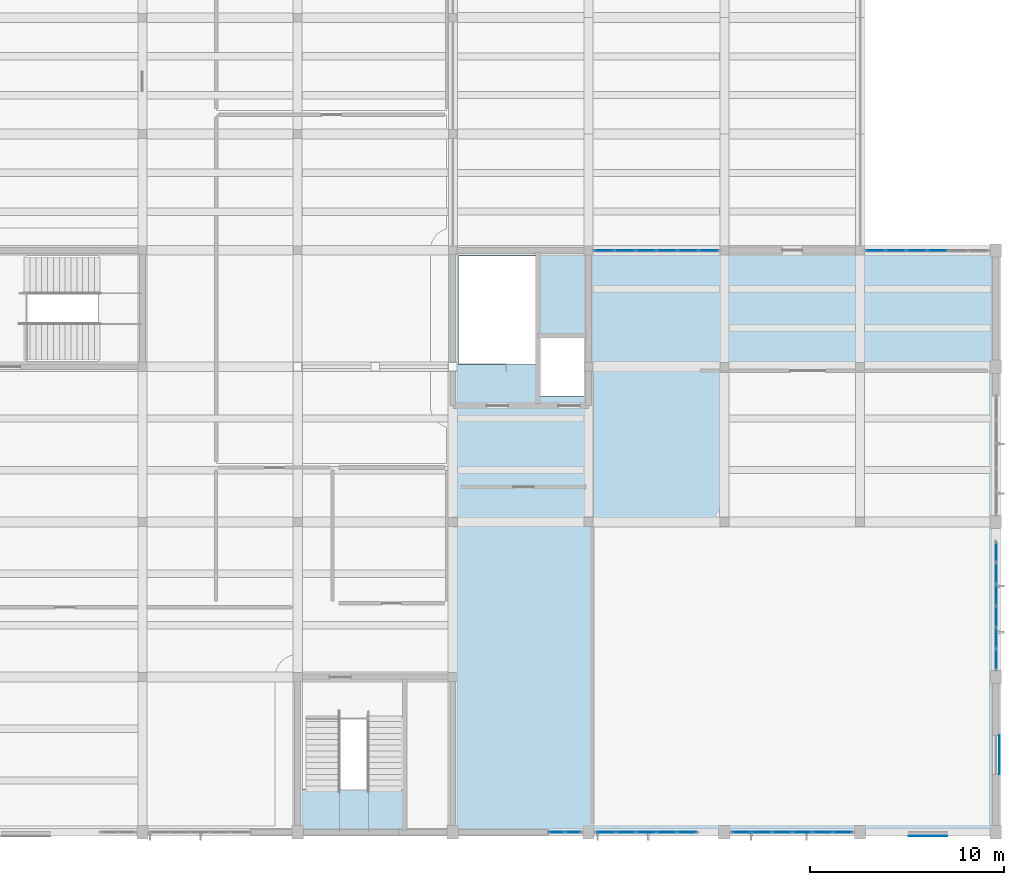
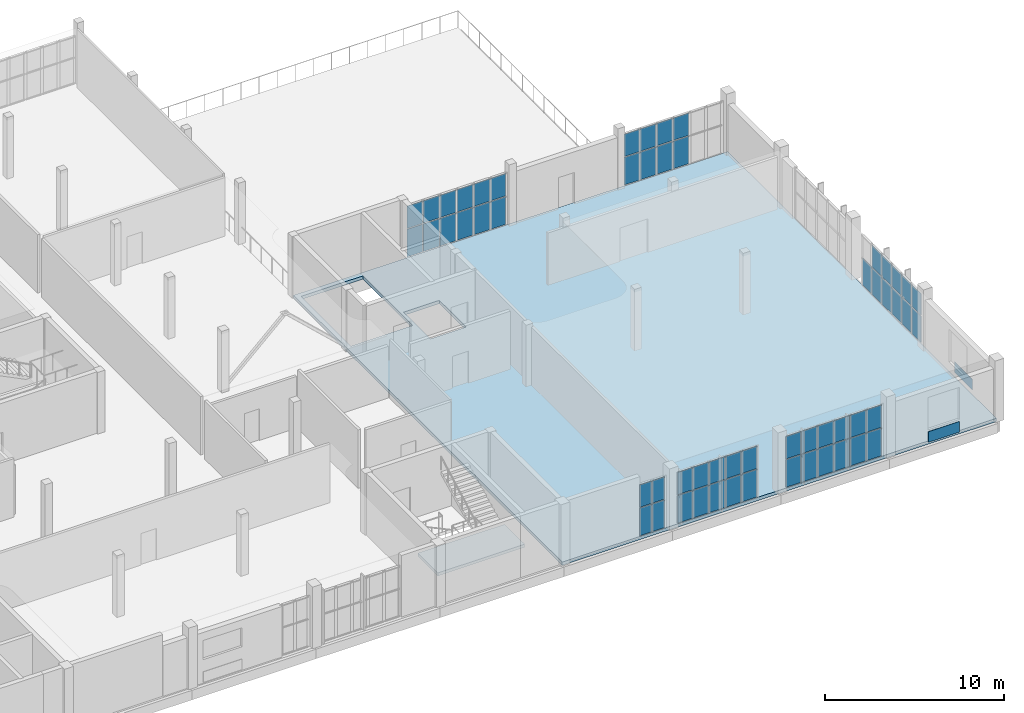
# One storey, part 50 of 70: 59 plates, 2 slabs, 7 elements without a shape of their own.
"""IFC4 building model written with IfcOpenShell, lengths in metres."""

from ifc_helpers import new_model, si_unit, direction, frame, origin, origin_2d, place, context, subcontext, project, spatial, polyline, rectangle, outline, extrude, material, layer, layer_set, type_object, element, aggregate, save


model = new_model("IFC4")

# Units and contexts
model_context = context("Model", 3, precision=1e-05, world=origin(), true_north=direction((0.0, 1.0)))
body_context = subcontext(model_context, "Body", "Model", "MODEL_VIEW")
ifc_project = project(units=[si_unit("LENGTHUNIT", "METRE"), si_unit("AREAUNIT", "SQUARE_METRE"), si_unit("VOLUMEUNIT", "CUBIC_METRE"), si_unit("PLANEANGLEUNIT", "RADIAN"), si_unit("MASSUNIT", "GRAM", prefix="KILO")], contexts=[model_context])

# Site, building, storey
site_placement = place(None, origin())
site = spatial("IfcSite", under=ifc_project, at=site_placement, CompositionType="ELEMENT")
building_placement = place(site_placement, origin())
building = spatial("IfcBuilding", under=site, at=building_placement, Name="Solvane Community Centre", CompositionType="ELEMENT")
storey_placement = place(building_placement, frame((0.0, 0.0, 9.60009765625)))
storey = spatial("IfcBuildingStorey", under=building, at=storey_placement, Name="L02", CompositionType="ELEMENT", Elevation=9.60009765625)

# Plates
ifc_material_1 = material(Name="Anodised bronze aluminium AW-6063 T6", Category="aluminium")
ifc_layer_1 = layer(ifc_material_1, 0.02392578125)
ifc_layer_set_1 = layer_set([ifc_layer_1], Name="Anodised bronze aluminium AW-6063 T6")
plate_type_1 = type_object("IfcPlateType", Name="Bronze Spandrel Cassette 24mm", PredefinedType="SHEET", material=ifc_layer_set_1)
for number, where, z_axis, x_axis, name in (
    (1, (164.5, 5.81298828125, 0.06005859375), (0.0, 0.0, 1.0), (-1.0, 0.0, 0.0), "Art Deco Spandrel SPC-L02-029"),
    (2, (168.18701171875, 10.0, 0.06005859375), (0.0, 0.0, 1.0), (0.0, -1.0, 0.0), "Art Deco Spandrel SPC-L02-034"),
):
    element("IfcPlate", number, at=place(storey_placement, frame(where, z_axis=z_axis, x_axis=x_axis)), inside=storey, type_object=plate_type_1, Name=name, PredefinedType="SHEET", context=body_context, shape_type="SweptSolid", body=[
        extrude(rectangle(XDim=2.0, YDim=0.02392578125, at=origin_2d()), origin(), (0.0, 0.0, 1.0), 0.719970703125),
    ])

# Slab
ifc_material_2 = material(Name="Cross-laminated timber C24", Category="wood")
ifc_layer_2 = layer(ifc_material_2, 0.219970703125)
ifc_layer_set_2 = layer_set([ifc_layer_2], Name="Cross-laminated timber C24")
slab_type_1 = type_object("IfcSlabType", Name="CLT-Concrete Composite Floor Deck 220mm [FP-L02-V3]", PredefinedType="FLOOR", material=ifc_layer_set_2)
slab_1_placement = place(storey_placement, frame((0.0, 0.0, -0.22021484375)))
element("IfcSlab", 3, at=slab_1_placement, inside=storey, type_object=slab_type_1, Name="Floor Slab FP-L02-V3", PredefinedType="FLOOR", context=body_context, shape_type="SweptSolid", body=[
    extrude(outline(polyline([(140.0, 6.0), (168.0, 6.0), (168.0, 36.0), (140.0, 36.0), (140.0, 6.0)]), holes=[polyline([(140.300048828125, 30.1201171875), (144.300048828125, 30.1201171875), (144.300048828125, 35.699951171875), (140.300048828125, 35.699951171875), (140.300048828125, 30.1201171875)]), polyline([(144.5, 28.5), (146.800048828125, 28.5), (146.800048828125, 31.5), (144.5, 31.5), (144.5, 28.5)])]), origin(), (0.0, 0.0, 1.0), 0.22021484375),
])

# Curtain wall, plates
ifc_layer_3 = layer(ifc_material_1, 0.18994140625)
ifc_layer_set_3 = layer_set([ifc_layer_3], Name="Anodised bronze aluminium AW-6063 T6")
curtain_wall_type_1 = type_object("IfcCurtainWallType", Name="Boulevard Bronze Vision Curtain Wall [17x36dm]", PredefinedType="NOTDEFINED", material=ifc_layer_set_3)
curtain_wall_1_placement = place(storey_placement, origin())
curtain_wall_1 = element("IfcCurtainWall", 4, at=curtain_wall_1_placement, inside=storey, type_object=curtain_wall_type_1, Name="Curtain Wall CW-L02-1466_60-186", PredefinedType="NOTDEFINED")
ifc_material_3 = material(Name="Tempered low-E double glazing", Category="glass")
ifc_layer_4 = layer(ifc_material_3, 0.028076171875)
ifc_layer_set_4 = layer_set([ifc_layer_4], Name="Tempered low-E double glazing")
plate_type_2 = type_object("IfcPlateType", Name="Low-E Vision Glazing Panel 28mm [17x36dm]", PredefinedType="CURTAIN_PANEL", material=ifc_layer_set_4)
plate_1_placement = place(storey_placement, frame((146.199462890625, 6.0, 0.06005859375), z_axis=(0.0, 0.0, 1.0), x_axis=(-1.0, 0.0, 0.0)))
plate_1 = element("IfcPlate", 5, at=plate_1_placement, type_object=plate_type_2, Name="CW02-17x36 panel 1.1", PredefinedType="CURTAIN_PANEL", context=body_context, shape_type="SweptSolid", body=[
    extrude(rectangle(XDim=0.77099609375, YDim=0.028076171875, at=origin_2d()), origin(), (0.0, 0.0, 1.0), 1.87890625),
])
plate_2_placement = place(storey_placement, frame((146.199462890625, 6.0, 1.9990234375), z_axis=(0.0, 0.0, 1.0), x_axis=(-1.0, 0.0, 0.0)))
plate_2 = element("IfcPlate", 6, at=plate_2_placement, type_object=plate_type_2, Name="CW02-17x36 panel 1.2", PredefinedType="CURTAIN_PANEL", context=body_context, shape_type="SweptSolid", body=[
    extrude(rectangle(XDim=0.77099609375, YDim=0.028076171875, at=origin_2d()), origin(), (0.0, 0.0, 1.0), 1.52099609375),
])
plate_3_placement = place(storey_placement, frame((145.36865234375, 6.0, 0.06005859375), z_axis=(0.0, 0.0, 1.0), x_axis=(-1.0, 0.0, 0.0)))
plate_3 = element("IfcPlate", 7, at=plate_3_placement, type_object=plate_type_2, Name="CW02-17x36 panel 2.1", PredefinedType="CURTAIN_PANEL", context=body_context, shape_type="SweptSolid", body=[
    extrude(rectangle(XDim=0.77099609375, YDim=0.028076171875, at=origin_2d()), origin(), (0.0, 0.0, 1.0), 1.87890625),
])
plate_4_placement = place(storey_placement, frame((145.36865234375, 6.0, 1.9990234375), z_axis=(0.0, 0.0, 1.0), x_axis=(-1.0, 0.0, 0.0)))
plate_4 = element("IfcPlate", 8, at=plate_4_placement, type_object=plate_type_2, Name="CW02-17x36 panel 2.2", PredefinedType="CURTAIN_PANEL", context=body_context, shape_type="SweptSolid", body=[
    extrude(rectangle(XDim=0.77099609375, YDim=0.028076171875, at=origin_2d()), origin(), (0.0, 0.0, 1.0), 1.52099609375),
])
aggregate(curtain_wall_1, [plate_1, plate_2, plate_3, plate_4])

ifc_layer_5 = layer(ifc_material_1, 0.18994140625)
ifc_layer_set_5 = layer_set([ifc_layer_5], Name="Anodised bronze aluminium AW-6063 T6")
curtain_wall_type_2 = type_object("IfcCurtainWallType", Name="Boulevard Bronze Vision Curtain Wall [53x36dm]", PredefinedType="NOTDEFINED", material=ifc_layer_set_5)
curtain_wall_2_placement = place(storey_placement, origin())
curtain_wall_2 = element("IfcCurtainWall", 9, at=curtain_wall_2_placement, inside=storey, type_object=curtain_wall_type_2, Name="Curtain Wall CW-L02-1526_60-185", PredefinedType="NOTDEFINED")
ifc_layer_6 = layer(ifc_material_3, 0.028076171875)
ifc_layer_set_6 = layer_set([ifc_layer_6], Name="Tempered low-E double glazing")
plate_type_3 = type_object("IfcPlateType", Name="Low-E Vision Glazing Panel 28mm [53x36dm]", PredefinedType="CURTAIN_PANEL", material=ifc_layer_set_6)
plate_5_placement = place(storey_placement, frame((152.074462890625, 6.0, 0.06005859375), z_axis=(0.0, 0.0, 1.0), x_axis=(-1.0, 0.0, 0.0)))
plate_5 = element("IfcPlate", 10, at=plate_5_placement, type_object=plate_type_3, Name="CW02-53x36 panel 1.1", PredefinedType="CURTAIN_PANEL", context=body_context, shape_type="SweptSolid", body=[
    extrude(rectangle(XDim=0.962158203125, YDim=0.028076171875, at=origin_2d()), origin(), (0.0, 0.0, 1.0), 1.87890625),
])
plate_6_placement = place(storey_placement, frame((152.074462890625, 6.0, 1.9990234375), z_axis=(0.0, 0.0, 1.0), x_axis=(-1.0, 0.0, 0.0)))
plate_6 = element("IfcPlate", 11, at=plate_6_placement, type_object=plate_type_3, Name="CW02-53x36 panel 1.2", PredefinedType="CURTAIN_PANEL", context=body_context, shape_type="SweptSolid", body=[
    extrude(rectangle(XDim=0.962158203125, YDim=0.028076171875, at=origin_2d()), origin(), (0.0, 0.0, 1.0), 1.52099609375),
])
plate_7_placement = place(storey_placement, frame((151.037353515625, 6.0, 0.06005859375), z_axis=(0.0, 0.0, 1.0), x_axis=(-1.0, 0.0, 0.0)))
plate_7 = element("IfcPlate", 12, at=plate_7_placement, type_object=plate_type_3, Name="CW02-53x36 panel 2.1", PredefinedType="CURTAIN_PANEL", context=body_context, shape_type="SweptSolid", body=[
    extrude(rectangle(XDim=0.9921875, YDim=0.028076171875, at=origin_2d()), origin(), (0.0, 0.0, 1.0), 1.87890625),
])
plate_8_placement = place(storey_placement, frame((151.037353515625, 6.0, 1.9990234375), z_axis=(0.0, 0.0, 1.0), x_axis=(-1.0, 0.0, 0.0)))
plate_8 = element("IfcPlate", 13, at=plate_8_placement, type_object=plate_type_3, Name="CW02-53x36 panel 2.2", PredefinedType="CURTAIN_PANEL", context=body_context, shape_type="SweptSolid", body=[
    extrude(rectangle(XDim=0.9921875, YDim=0.028076171875, at=origin_2d()), origin(), (0.0, 0.0, 1.0), 1.52099609375),
])
plate_9_placement = place(storey_placement, frame((149.985107421875, 6.0, 0.06005859375), z_axis=(0.0, 0.0, 1.0), x_axis=(-1.0, 0.0, 0.0)))
plate_9 = element("IfcPlate", 14, at=plate_9_placement, type_object=plate_type_3, Name="CW02-53x36 panel 3.1", PredefinedType="CURTAIN_PANEL", context=body_context, shape_type="SweptSolid", body=[
    extrude(rectangle(XDim=0.9921875, YDim=0.028076171875, at=origin_2d()), origin(), (0.0, 0.0, 1.0), 1.87890625),
])
plate_10_placement = place(storey_placement, frame((149.985107421875, 6.0, 1.9990234375), z_axis=(0.0, 0.0, 1.0), x_axis=(-1.0, 0.0, 0.0)))
plate_10 = element("IfcPlate", 15, at=plate_10_placement, type_object=plate_type_3, Name="CW02-53x36 panel 3.2", PredefinedType="CURTAIN_PANEL", context=body_context, shape_type="SweptSolid", body=[
    extrude(rectangle(XDim=0.9921875, YDim=0.028076171875, at=origin_2d()), origin(), (0.0, 0.0, 1.0), 1.52099609375),
])
plate_11_placement = place(storey_placement, frame((148.93310546875, 6.0, 0.06005859375), z_axis=(0.0, 0.0, 1.0), x_axis=(-1.0, 0.0, 0.0)))
plate_11 = element("IfcPlate", 16, at=plate_11_placement, type_object=plate_type_3, Name="CW02-53x36 panel 4.1", PredefinedType="CURTAIN_PANEL", context=body_context, shape_type="SweptSolid", body=[
    extrude(rectangle(XDim=0.9921875, YDim=0.028076171875, at=origin_2d()), origin(), (0.0, 0.0, 1.0), 1.87890625),
])
plate_12_placement = place(storey_placement, frame((148.93310546875, 6.0, 1.9990234375), z_axis=(0.0, 0.0, 1.0), x_axis=(-1.0, 0.0, 0.0)))
plate_12 = element("IfcPlate", 17, at=plate_12_placement, type_object=plate_type_3, Name="CW02-53x36 panel 4.2", PredefinedType="CURTAIN_PANEL", context=body_context, shape_type="SweptSolid", body=[
    extrude(rectangle(XDim=0.9921875, YDim=0.028076171875, at=origin_2d()), origin(), (0.0, 0.0, 1.0), 1.52099609375),
])
plate_13_placement = place(storey_placement, frame((147.89599609375, 6.0, 0.06005859375), z_axis=(0.0, 0.0, 1.0), x_axis=(-1.0, 0.0, 0.0)))
plate_13 = element("IfcPlate", 18, at=plate_13_placement, type_object=plate_type_3, Name="CW02-53x36 panel 5.1", PredefinedType="CURTAIN_PANEL", context=body_context, shape_type="SweptSolid", body=[
    extrude(rectangle(XDim=0.962158203125, YDim=0.028076171875, at=origin_2d()), origin(), (0.0, 0.0, 1.0), 1.87890625),
])
plate_14_placement = place(storey_placement, frame((147.89599609375, 6.0, 1.9990234375), z_axis=(0.0, 0.0, 1.0), x_axis=(-1.0, 0.0, 0.0)))
plate_14 = element("IfcPlate", 19, at=plate_14_placement, type_object=plate_type_3, Name="CW02-53x36 panel 5.2", PredefinedType="CURTAIN_PANEL", context=body_context, shape_type="SweptSolid", body=[
    extrude(rectangle(XDim=0.962158203125, YDim=0.028076171875, at=origin_2d()), origin(), (0.0, 0.0, 1.0), 1.52099609375),
])
aggregate(curtain_wall_2, [plate_5, plate_6, plate_7, plate_8, plate_9, plate_10, plate_11, plate_12, plate_13, plate_14])

ifc_layer_7 = layer(ifc_material_1, 0.18994140625)
ifc_layer_set_7 = layer_set([ifc_layer_7], Name="Anodised bronze aluminium AW-6063 T6")
curtain_wall_type_3 = type_object("IfcCurtainWallType", Name="Boulevard Bronze Vision Curtain Wall [63x36dm]", PredefinedType="NOTDEFINED", material=ifc_layer_set_7)
curtain_wall_3_placement = place(storey_placement, origin())
curtain_wall_3 = element("IfcCurtainWall", 20, at=curtain_wall_3_placement, inside=storey, type_object=curtain_wall_type_3, Name="Curtain Wall CW-L02-1606_60-184", PredefinedType="NOTDEFINED")
ifc_layer_8 = layer(ifc_material_3, 0.028076171875)
ifc_layer_set_8 = layer_set([ifc_layer_8], Name="Tempered low-E double glazing")
plate_type_4 = type_object("IfcPlateType", Name="Low-E Vision Glazing Panel 28mm [63x36dm]", PredefinedType="CURTAIN_PANEL", material=ifc_layer_set_8)
plate_15_placement = place(storey_placement, frame((160.105712890625, 6.0, 0.06005859375), z_axis=(0.0, 0.0, 1.0), x_axis=(-1.0, 0.0, 0.0)))
plate_15 = element("IfcPlate", 21, at=plate_15_placement, type_object=plate_type_4, Name="CW02-63x36 panel 1.1", PredefinedType="CURTAIN_PANEL", context=body_context, shape_type="SweptSolid", body=[
    extrude(rectangle(XDim=0.958251953125, YDim=0.028076171875, at=origin_2d()), origin(), (0.0, 0.0, 1.0), 1.87890625),
])
plate_16_placement = place(storey_placement, frame((160.105712890625, 6.0, 1.9990234375), z_axis=(0.0, 0.0, 1.0), x_axis=(-1.0, 0.0, 0.0)))
plate_16 = element("IfcPlate", 22, at=plate_16_placement, type_object=plate_type_4, Name="CW02-63x36 panel 1.2", PredefinedType="CURTAIN_PANEL", context=body_context, shape_type="SweptSolid", body=[
    extrude(rectangle(XDim=0.958251953125, YDim=0.028076171875, at=origin_2d()), origin(), (0.0, 0.0, 1.0), 1.52099609375),
])
plate_17_placement = place(storey_placement, frame((159.072509765625, 6.0, 0.06005859375), z_axis=(0.0, 0.0, 1.0), x_axis=(-1.0, 0.0, 0.0)))
plate_17 = element("IfcPlate", 23, at=plate_17_placement, type_object=plate_type_4, Name="CW02-63x36 panel 2.1", PredefinedType="CURTAIN_PANEL", context=body_context, shape_type="SweptSolid", body=[
    extrude(rectangle(XDim=0.98828125, YDim=0.028076171875, at=origin_2d()), origin(), (0.0, 0.0, 1.0), 1.87890625),
])
plate_18_placement = place(storey_placement, frame((159.072509765625, 6.0, 1.9990234375), z_axis=(0.0, 0.0, 1.0), x_axis=(-1.0, 0.0, 0.0)))
plate_18 = element("IfcPlate", 24, at=plate_18_placement, type_object=plate_type_4, Name="CW02-63x36 panel 2.2", PredefinedType="CURTAIN_PANEL", context=body_context, shape_type="SweptSolid", body=[
    extrude(rectangle(XDim=0.98828125, YDim=0.028076171875, at=origin_2d()), origin(), (0.0, 0.0, 1.0), 1.52099609375),
])
plate_19_placement = place(storey_placement, frame((158.024169921875, 6.0, 0.06005859375), z_axis=(0.0, 0.0, 1.0), x_axis=(-1.0, 0.0, 0.0)))
plate_19 = element("IfcPlate", 25, at=plate_19_placement, type_object=plate_type_4, Name="CW02-63x36 panel 3.1", PredefinedType="CURTAIN_PANEL", context=body_context, shape_type="SweptSolid", body=[
    extrude(rectangle(XDim=0.98828125, YDim=0.028076171875, at=origin_2d()), origin(), (0.0, 0.0, 1.0), 1.87890625),
])
plate_20_placement = place(storey_placement, frame((158.024169921875, 6.0, 1.9990234375), z_axis=(0.0, 0.0, 1.0), x_axis=(-1.0, 0.0, 0.0)))
plate_20 = element("IfcPlate", 26, at=plate_20_placement, type_object=plate_type_4, Name="CW02-63x36 panel 3.2", PredefinedType="CURTAIN_PANEL", context=body_context, shape_type="SweptSolid", body=[
    extrude(rectangle(XDim=0.98828125, YDim=0.028076171875, at=origin_2d()), origin(), (0.0, 0.0, 1.0), 1.52099609375),
])
plate_21_placement = place(storey_placement, frame((156.975830078125, 6.0, 0.06005859375), z_axis=(0.0, 0.0, 1.0), x_axis=(-1.0, 0.0, 0.0)))
plate_21 = element("IfcPlate", 27, at=plate_21_placement, type_object=plate_type_4, Name="CW02-63x36 panel 4.1", PredefinedType="CURTAIN_PANEL", context=body_context, shape_type="SweptSolid", body=[
    extrude(rectangle(XDim=0.98828125, YDim=0.028076171875, at=origin_2d()), origin(), (0.0, 0.0, 1.0), 1.87890625),
])
plate_22_placement = place(storey_placement, frame((156.975830078125, 6.0, 1.9990234375), z_axis=(0.0, 0.0, 1.0), x_axis=(-1.0, 0.0, 0.0)))
plate_22 = element("IfcPlate", 28, at=plate_22_placement, type_object=plate_type_4, Name="CW02-63x36 panel 4.2", PredefinedType="CURTAIN_PANEL", context=body_context, shape_type="SweptSolid", body=[
    extrude(rectangle(XDim=0.98828125, YDim=0.028076171875, at=origin_2d()), origin(), (0.0, 0.0, 1.0), 1.52099609375),
])
plate_23_placement = place(storey_placement, frame((155.927490234375, 6.0, 0.06005859375), z_axis=(0.0, 0.0, 1.0), x_axis=(-1.0, 0.0, 0.0)))
plate_23 = element("IfcPlate", 29, at=plate_23_placement, type_object=plate_type_4, Name="CW02-63x36 panel 5.1", PredefinedType="CURTAIN_PANEL", context=body_context, shape_type="SweptSolid", body=[
    extrude(rectangle(XDim=0.98828125, YDim=0.028076171875, at=origin_2d()), origin(), (0.0, 0.0, 1.0), 1.87890625),
])
plate_24_placement = place(storey_placement, frame((155.927490234375, 6.0, 1.9990234375), z_axis=(0.0, 0.0, 1.0), x_axis=(-1.0, 0.0, 0.0)))
plate_24 = element("IfcPlate", 30, at=plate_24_placement, type_object=plate_type_4, Name="CW02-63x36 panel 5.2", PredefinedType="CURTAIN_PANEL", context=body_context, shape_type="SweptSolid", body=[
    extrude(rectangle(XDim=0.98828125, YDim=0.028076171875, at=origin_2d()), origin(), (0.0, 0.0, 1.0), 1.52099609375),
])
plate_25_placement = place(storey_placement, frame((154.894287109375, 6.0, 0.06005859375), z_axis=(0.0, 0.0, 1.0), x_axis=(-1.0, 0.0, 0.0)))
plate_25 = element("IfcPlate", 31, at=plate_25_placement, type_object=plate_type_4, Name="CW02-63x36 panel 6.1", PredefinedType="CURTAIN_PANEL", context=body_context, shape_type="SweptSolid", body=[
    extrude(rectangle(XDim=0.958251953125, YDim=0.028076171875, at=origin_2d()), origin(), (0.0, 0.0, 1.0), 1.87890625),
])
plate_26_placement = place(storey_placement, frame((154.894287109375, 6.0, 1.9990234375), z_axis=(0.0, 0.0, 1.0), x_axis=(-1.0, 0.0, 0.0)))
plate_26 = element("IfcPlate", 32, at=plate_26_placement, type_object=plate_type_4, Name="CW02-63x36 panel 6.2", PredefinedType="CURTAIN_PANEL", context=body_context, shape_type="SweptSolid", body=[
    extrude(rectangle(XDim=0.958251953125, YDim=0.028076171875, at=origin_2d()), origin(), (0.0, 0.0, 1.0), 1.52099609375),
])
aggregate(curtain_wall_3, [plate_15, plate_16, plate_17, plate_18, plate_19, plate_20, plate_21, plate_22, plate_23, plate_24, plate_25, plate_26])

ifc_layer_9 = layer(ifc_material_1, 0.18994140625)
ifc_layer_set_9 = layer_set([ifc_layer_9], Name="Anodised bronze aluminium AW-6063 T6")
curtain_wall_type_4 = type_object("IfcCurtainWallType", Name="Boulevard Bronze Vision Curtain Wall [64x36dm]", PredefinedType="NOTDEFINED", material=ifc_layer_set_9)
curtain_wall_4_placement = place(storey_placement, origin())
curtain_wall_4 = element("IfcCurtainWall", 33, at=curtain_wall_4_placement, inside=storey, type_object=curtain_wall_type_4, Name="Curtain Wall CW-L02-1612_360-203", PredefinedType="NOTDEFINED")
ifc_layer_10 = layer(ifc_material_3, 0.028076171875)
ifc_layer_set_10 = layer_set([ifc_layer_10], Name="Tempered low-E double glazing")
plate_type_5 = type_object("IfcPlateType", Name="Low-E Vision Glazing Panel 28mm [64x36dm]", PredefinedType="CURTAIN_PANEL", material=ifc_layer_set_10)
plate_27_placement = place(storey_placement, frame((161.793212890625, 36.0, 0.06005859375), z_axis=(0.0, 0.0, 1.0), x_axis=(1.0, 0.0, 0.0)))
plate_27 = element("IfcPlate", 34, at=plate_27_placement, type_object=plate_type_5, Name="CW02-64x36 panel 1.1", PredefinedType="CURTAIN_PANEL", context=body_context, shape_type="SweptSolid", body=[
    extrude(rectangle(XDim=0.9765625, YDim=0.028076171875, at=origin_2d()), origin(), (0.0, 0.0, 1.0), 1.87890625),
])
plate_28_placement = place(storey_placement, frame((161.793212890625, 36.0, 1.9990234375), z_axis=(0.0, 0.0, 1.0), x_axis=(1.0, 0.0, 0.0)))
plate_28 = element("IfcPlate", 35, at=plate_28_placement, type_object=plate_type_5, Name="CW02-64x36 panel 1.2", PredefinedType="CURTAIN_PANEL", context=body_context, shape_type="SweptSolid", body=[
    extrude(rectangle(XDim=0.9765625, YDim=0.028076171875, at=origin_2d()), origin(), (0.0, 0.0, 1.0), 1.52099609375),
])
plate_29_placement = place(storey_placement, frame((162.844970703125, 36.0, 0.06005859375), z_axis=(0.0, 0.0, 1.0), x_axis=(1.0, 0.0, 0.0)))
plate_29 = element("IfcPlate", 36, at=plate_29_placement, type_object=plate_type_5, Name="CW02-64x36 panel 2.1", PredefinedType="CURTAIN_PANEL", context=body_context, shape_type="SweptSolid", body=[
    extrude(rectangle(XDim=1.006591796875, YDim=0.028076171875, at=origin_2d()), origin(), (0.0, 0.0, 1.0), 1.87890625),
])
plate_30_placement = place(storey_placement, frame((162.844970703125, 36.0, 1.9990234375), z_axis=(0.0, 0.0, 1.0), x_axis=(1.0, 0.0, 0.0)))
plate_30 = element("IfcPlate", 37, at=plate_30_placement, type_object=plate_type_5, Name="CW02-64x36 panel 2.2", PredefinedType="CURTAIN_PANEL", context=body_context, shape_type="SweptSolid", body=[
    extrude(rectangle(XDim=1.006591796875, YDim=0.028076171875, at=origin_2d()), origin(), (0.0, 0.0, 1.0), 1.52099609375),
])
plate_31_placement = place(storey_placement, frame((163.91162109375, 36.0, 0.06005859375), z_axis=(0.0, 0.0, 1.0), x_axis=(1.0, 0.0, 0.0)))
plate_31 = element("IfcPlate", 38, at=plate_31_placement, type_object=plate_type_5, Name="CW02-64x36 panel 3.1", PredefinedType="CURTAIN_PANEL", context=body_context, shape_type="SweptSolid", body=[
    extrude(rectangle(XDim=1.006591796875, YDim=0.028076171875, at=origin_2d()), origin(), (0.0, 0.0, 1.0), 1.87890625),
])
plate_32_placement = place(storey_placement, frame((163.91162109375, 36.0, 1.9990234375), z_axis=(0.0, 0.0, 1.0), x_axis=(1.0, 0.0, 0.0)))
plate_32 = element("IfcPlate", 39, at=plate_32_placement, type_object=plate_type_5, Name="CW02-64x36 panel 3.2", PredefinedType="CURTAIN_PANEL", context=body_context, shape_type="SweptSolid", body=[
    extrude(rectangle(XDim=1.006591796875, YDim=0.028076171875, at=origin_2d()), origin(), (0.0, 0.0, 1.0), 1.52099609375),
])
plate_33_placement = place(storey_placement, frame((164.978271484375, 36.0, 0.06005859375), z_axis=(0.0, 0.0, 1.0), x_axis=(1.0, 0.0, 0.0)))
plate_33 = element("IfcPlate", 40, at=plate_33_placement, type_object=plate_type_5, Name="CW02-64x36 panel 4.1", PredefinedType="CURTAIN_PANEL", context=body_context, shape_type="SweptSolid", body=[
    extrude(rectangle(XDim=1.006591796875, YDim=0.028076171875, at=origin_2d()), origin(), (0.0, 0.0, 1.0), 1.87890625),
])
plate_34_placement = place(storey_placement, frame((164.978271484375, 36.0, 1.9990234375), z_axis=(0.0, 0.0, 1.0), x_axis=(1.0, 0.0, 0.0)))
plate_34 = element("IfcPlate", 41, at=plate_34_placement, type_object=plate_type_5, Name="CW02-64x36 panel 4.2", PredefinedType="CURTAIN_PANEL", context=body_context, shape_type="SweptSolid", body=[
    extrude(rectangle(XDim=1.006591796875, YDim=0.028076171875, at=origin_2d()), origin(), (0.0, 0.0, 1.0), 1.52099609375),
])
aggregate(curtain_wall_4, [plate_27, plate_28, plate_29, plate_30, plate_31, plate_32, plate_33, plate_34])

ifc_layer_11 = layer(ifc_material_1, 0.18994140625)
ifc_layer_set_11 = layer_set([ifc_layer_11], Name="Anodised bronze aluminium AW-6063 T6")
curtain_wall_type_5 = type_object("IfcCurtainWallType", Name="Boulevard Bronze Vision Curtain Wall [65x36dm]", PredefinedType="NOTDEFINED", material=ifc_layer_set_11)
curtain_wall_5_placement = place(storey_placement, origin())
curtain_wall_5 = element("IfcCurtainWall", 42, at=curtain_wall_5_placement, inside=storey, type_object=curtain_wall_type_5, Name="Curtain Wall CW-L02-1472_360-202", PredefinedType="NOTDEFINED")
ifc_layer_12 = layer(ifc_material_3, 0.028076171875)
ifc_layer_set_12 = layer_set([ifc_layer_12], Name="Tempered low-E double glazing")
plate_type_6 = type_object("IfcPlateType", Name="Low-E Vision Glazing Panel 28mm [65x36dm]", PredefinedType="CURTAIN_PANEL", material=ifc_layer_set_12)
plate_35_placement = place(storey_placement, frame((147.802490234375, 36.0, 0.06005859375), z_axis=(0.0, 0.0, 1.0), x_axis=(1.0, 0.0, 0.0)))
plate_35 = element("IfcPlate", 43, at=plate_35_placement, type_object=plate_type_6, Name="CW02-65x36 panel 1.1", PredefinedType="CURTAIN_PANEL", context=body_context, shape_type="SweptSolid", body=[
    extrude(rectangle(XDim=0.9951171875, YDim=0.028076171875, at=origin_2d()), origin(), (0.0, 0.0, 1.0), 1.87890625),
])
plate_36_placement = place(storey_placement, frame((147.802490234375, 36.0, 1.9990234375), z_axis=(0.0, 0.0, 1.0), x_axis=(1.0, 0.0, 0.0)))
plate_36 = element("IfcPlate", 44, at=plate_36_placement, type_object=plate_type_6, Name="CW02-65x36 panel 1.2", PredefinedType="CURTAIN_PANEL", context=body_context, shape_type="SweptSolid", body=[
    extrude(rectangle(XDim=0.9951171875, YDim=0.028076171875, at=origin_2d()), origin(), (0.0, 0.0, 1.0), 1.52099609375),
])
plate_37_placement = place(storey_placement, frame((148.87255859375, 36.0, 0.06005859375), z_axis=(0.0, 0.0, 1.0), x_axis=(1.0, 0.0, 0.0)))
plate_37 = element("IfcPlate", 45, at=plate_37_placement, type_object=plate_type_6, Name="CW02-65x36 panel 2.1", PredefinedType="CURTAIN_PANEL", context=body_context, shape_type="SweptSolid", body=[
    extrude(rectangle(XDim=1.02490234375, YDim=0.028076171875, at=origin_2d()), origin(), (0.0, 0.0, 1.0), 1.87890625),
])
plate_38_placement = place(storey_placement, frame((148.87255859375, 36.0, 1.9990234375), z_axis=(0.0, 0.0, 1.0), x_axis=(1.0, 0.0, 0.0)))
plate_38 = element("IfcPlate", 46, at=plate_38_placement, type_object=plate_type_6, Name="CW02-65x36 panel 2.2", PredefinedType="CURTAIN_PANEL", context=body_context, shape_type="SweptSolid", body=[
    extrude(rectangle(XDim=1.02490234375, YDim=0.028076171875, at=origin_2d()), origin(), (0.0, 0.0, 1.0), 1.52099609375),
])
plate_39_placement = place(storey_placement, frame((149.95751953125, 36.0, 0.06005859375), z_axis=(0.0, 0.0, 1.0), x_axis=(1.0, 0.0, 0.0)))
plate_39 = element("IfcPlate", 47, at=plate_39_placement, type_object=plate_type_6, Name="CW02-65x36 panel 3.1", PredefinedType="CURTAIN_PANEL", context=body_context, shape_type="SweptSolid", body=[
    extrude(rectangle(XDim=1.02490234375, YDim=0.028076171875, at=origin_2d()), origin(), (0.0, 0.0, 1.0), 1.87890625),
])
plate_40_placement = place(storey_placement, frame((149.95751953125, 36.0, 1.9990234375), z_axis=(0.0, 0.0, 1.0), x_axis=(1.0, 0.0, 0.0)))
plate_40 = element("IfcPlate", 48, at=plate_40_placement, type_object=plate_type_6, Name="CW02-65x36 panel 3.2", PredefinedType="CURTAIN_PANEL", context=body_context, shape_type="SweptSolid", body=[
    extrude(rectangle(XDim=1.02490234375, YDim=0.028076171875, at=origin_2d()), origin(), (0.0, 0.0, 1.0), 1.52099609375),
])
plate_41_placement = place(storey_placement, frame((151.04248046875, 36.0, 0.06005859375), z_axis=(0.0, 0.0, 1.0), x_axis=(1.0, 0.0, 0.0)))
plate_41 = element("IfcPlate", 49, at=plate_41_placement, type_object=plate_type_6, Name="CW02-65x36 panel 4.1", PredefinedType="CURTAIN_PANEL", context=body_context, shape_type="SweptSolid", body=[
    extrude(rectangle(XDim=1.02490234375, YDim=0.028076171875, at=origin_2d()), origin(), (0.0, 0.0, 1.0), 1.87890625),
])
plate_42_placement = place(storey_placement, frame((151.04248046875, 36.0, 1.9990234375), z_axis=(0.0, 0.0, 1.0), x_axis=(1.0, 0.0, 0.0)))
plate_42 = element("IfcPlate", 50, at=plate_42_placement, type_object=plate_type_6, Name="CW02-65x36 panel 4.2", PredefinedType="CURTAIN_PANEL", context=body_context, shape_type="SweptSolid", body=[
    extrude(rectangle(XDim=1.02490234375, YDim=0.028076171875, at=origin_2d()), origin(), (0.0, 0.0, 1.0), 1.52099609375),
])
plate_43_placement = place(storey_placement, frame((152.12744140625, 36.0, 0.06005859375), z_axis=(0.0, 0.0, 1.0), x_axis=(1.0, 0.0, 0.0)))
plate_43 = element("IfcPlate", 51, at=plate_43_placement, type_object=plate_type_6, Name="CW02-65x36 panel 5.1", PredefinedType="CURTAIN_PANEL", context=body_context, shape_type="SweptSolid", body=[
    extrude(rectangle(XDim=1.02490234375, YDim=0.028076171875, at=origin_2d()), origin(), (0.0, 0.0, 1.0), 1.87890625),
])
plate_44_placement = place(storey_placement, frame((152.12744140625, 36.0, 1.9990234375), z_axis=(0.0, 0.0, 1.0), x_axis=(1.0, 0.0, 0.0)))
plate_44 = element("IfcPlate", 52, at=plate_44_placement, type_object=plate_type_6, Name="CW02-65x36 panel 5.2", PredefinedType="CURTAIN_PANEL", context=body_context, shape_type="SweptSolid", body=[
    extrude(rectangle(XDim=1.02490234375, YDim=0.028076171875, at=origin_2d()), origin(), (0.0, 0.0, 1.0), 1.52099609375),
])
plate_45_placement = place(storey_placement, frame((153.197509765625, 36.0, 0.06005859375), z_axis=(0.0, 0.0, 1.0), x_axis=(1.0, 0.0, 0.0)))
plate_45 = element("IfcPlate", 53, at=plate_45_placement, type_object=plate_type_6, Name="CW02-65x36 panel 6.1", PredefinedType="CURTAIN_PANEL", context=body_context, shape_type="SweptSolid", body=[
    extrude(rectangle(XDim=0.9951171875, YDim=0.028076171875, at=origin_2d()), origin(), (0.0, 0.0, 1.0), 1.87890625),
])
plate_46_placement = place(storey_placement, frame((153.197509765625, 36.0, 1.9990234375), z_axis=(0.0, 0.0, 1.0), x_axis=(1.0, 0.0, 0.0)))
plate_46 = element("IfcPlate", 54, at=plate_46_placement, type_object=plate_type_6, Name="CW02-65x36 panel 6.2", PredefinedType="CURTAIN_PANEL", context=body_context, shape_type="SweptSolid", body=[
    extrude(rectangle(XDim=0.9951171875, YDim=0.028076171875, at=origin_2d()), origin(), (0.0, 0.0, 1.0), 1.52099609375),
])
aggregate(curtain_wall_5, [plate_35, plate_36, plate_37, plate_38, plate_39, plate_40, plate_41, plate_42, plate_43, plate_44, plate_45, plate_46])

ifc_layer_13 = layer(ifc_material_1, 0.18994140625)
ifc_layer_set_13 = layer_set([ifc_layer_13], Name="Anodised bronze aluminium AW-6063 T6")
curtain_wall_type_6 = type_object("IfcCurtainWallType", Name="Boulevard Bronze Vision Curtain Wall [66x35dm]", PredefinedType="NOTDEFINED", material=ifc_layer_set_13)
curtain_wall_6_placement = place(storey_placement, origin())
curtain_wall_6 = element("IfcCurtainWall", 55, at=curtain_wall_6_placement, inside=storey, type_object=curtain_wall_type_6, Name="Curtain Wall CW-L02-1680_210-205", PredefinedType="NOTDEFINED")
ifc_layer_14 = layer(ifc_material_3, 0.028076171875)
ifc_layer_set_14 = layer_set([ifc_layer_14], Name="Tempered low-E double glazing")
plate_type_7 = type_object("IfcPlateType", Name="Low-E Vision Glazing Panel 28mm [66x35dm]", PredefinedType="CURTAIN_PANEL", material=ifc_layer_set_14)
plate_47_placement = place(storey_placement, frame((168.0, 20.43115234375, 0.06005859375), z_axis=(0.0, 0.0, 1.0), x_axis=(0.0, -1.0, 0.0)))
plate_47 = element("IfcPlate", 56, at=plate_47_placement, type_object=plate_type_7, Name="CW02-66x35 panel 1.1", PredefinedType="CURTAIN_PANEL", context=body_context, shape_type="SweptSolid", body=[
    extrude(rectangle(XDim=1.017578125, YDim=0.028076171875, at=origin_2d()), origin(), (0.0, 0.0, 1.0), 1.81591796875),
])
plate_48_placement = place(storey_placement, frame((168.0, 19.3388671875, 0.06005859375), z_axis=(0.0, 0.0, 1.0), x_axis=(0.0, -1.0, 0.0)))
plate_48 = element("IfcPlate", 57, at=plate_48_placement, type_object=plate_type_7, Name="CW02-66x35 panel 2.1", PredefinedType="CURTAIN_PANEL", context=body_context, shape_type="SweptSolid", body=[
    extrude(rectangle(XDim=1.047607421875, YDim=0.028076171875, at=origin_2d()), origin(), (0.0, 0.0, 1.0), 1.81591796875),
])
plate_49_placement = place(storey_placement, frame((168.0, 19.3388671875, 1.93603515625), z_axis=(0.0, 0.0, 1.0), x_axis=(0.0, -1.0, 0.0)))
plate_49 = element("IfcPlate", 58, at=plate_49_placement, type_object=plate_type_7, Name="CW02-66x35 panel 2.2", PredefinedType="CURTAIN_PANEL", context=body_context, shape_type="SweptSolid", body=[
    extrude(rectangle(XDim=1.047607421875, YDim=0.028076171875, at=origin_2d()), origin(), (0.0, 0.0, 1.0), 1.468994140625),
])
plate_50_placement = place(storey_placement, frame((168.0, 18.231201171875, 0.06005859375), z_axis=(0.0, 0.0, 1.0), x_axis=(0.0, -1.0, 0.0)))
plate_50 = element("IfcPlate", 59, at=plate_50_placement, type_object=plate_type_7, Name="CW02-66x35 panel 3.1", PredefinedType="CURTAIN_PANEL", context=body_context, shape_type="SweptSolid", body=[
    extrude(rectangle(XDim=1.047607421875, YDim=0.028076171875, at=origin_2d()), origin(), (0.0, 0.0, 1.0), 1.81591796875),
])
plate_51_placement = place(storey_placement, frame((168.0, 18.231201171875, 1.93603515625), z_axis=(0.0, 0.0, 1.0), x_axis=(0.0, -1.0, 0.0)))
plate_51 = element("IfcPlate", 60, at=plate_51_placement, type_object=plate_type_7, Name="CW02-66x35 panel 3.2", PredefinedType="CURTAIN_PANEL", context=body_context, shape_type="SweptSolid", body=[
    extrude(rectangle(XDim=1.047607421875, YDim=0.028076171875, at=origin_2d()), origin(), (0.0, 0.0, 1.0), 1.468994140625),
])
plate_52_placement = place(storey_placement, frame((168.0, 17.123779296875, 0.06005859375), z_axis=(0.0, 0.0, 1.0), x_axis=(0.0, -1.0, 0.0)))
plate_52 = element("IfcPlate", 61, at=plate_52_placement, type_object=plate_type_7, Name="CW02-66x35 panel 4.1", PredefinedType="CURTAIN_PANEL", context=body_context, shape_type="SweptSolid", body=[
    extrude(rectangle(XDim=1.047607421875, YDim=0.028076171875, at=origin_2d()), origin(), (0.0, 0.0, 1.0), 1.81591796875),
])
plate_53_placement = place(storey_placement, frame((168.0, 17.123779296875, 1.93603515625), z_axis=(0.0, 0.0, 1.0), x_axis=(0.0, -1.0, 0.0)))
plate_53 = element("IfcPlate", 62, at=plate_53_placement, type_object=plate_type_7, Name="CW02-66x35 panel 4.2", PredefinedType="CURTAIN_PANEL", context=body_context, shape_type="SweptSolid", body=[
    extrude(rectangle(XDim=1.047607421875, YDim=0.028076171875, at=origin_2d()), origin(), (0.0, 0.0, 1.0), 1.468994140625),
])
plate_54_placement = place(storey_placement, frame((168.0, 16.016357421875, 0.06005859375), z_axis=(0.0, 0.0, 1.0), x_axis=(0.0, -1.0, 0.0)))
plate_54 = element("IfcPlate", 63, at=plate_54_placement, type_object=plate_type_7, Name="CW02-66x35 panel 5.1", PredefinedType="CURTAIN_PANEL", context=body_context, shape_type="SweptSolid", body=[
    extrude(rectangle(XDim=1.047607421875, YDim=0.028076171875, at=origin_2d()), origin(), (0.0, 0.0, 1.0), 1.81591796875),
])
plate_55_placement = place(storey_placement, frame((168.0, 16.016357421875, 1.93603515625), z_axis=(0.0, 0.0, 1.0), x_axis=(0.0, -1.0, 0.0)))
plate_55 = element("IfcPlate", 64, at=plate_55_placement, type_object=plate_type_7, Name="CW02-66x35 panel 5.2", PredefinedType="CURTAIN_PANEL", context=body_context, shape_type="SweptSolid", body=[
    extrude(rectangle(XDim=1.047607421875, YDim=0.028076171875, at=origin_2d()), origin(), (0.0, 0.0, 1.0), 1.468994140625),
])
plate_56_placement = place(storey_placement, frame((168.0, 14.923828125, 0.06005859375), z_axis=(0.0, 0.0, 1.0), x_axis=(0.0, -1.0, 0.0)))
plate_56 = element("IfcPlate", 65, at=plate_56_placement, type_object=plate_type_7, Name="CW02-66x35 panel 6.1", PredefinedType="CURTAIN_PANEL", context=body_context, shape_type="SweptSolid", body=[
    extrude(rectangle(XDim=1.017578125, YDim=0.028076171875, at=origin_2d()), origin(), (0.0, 0.0, 1.0), 1.81591796875),
])
plate_57_placement = place(storey_placement, frame((168.0, 14.923828125, 1.93603515625), z_axis=(0.0, 0.0, 1.0), x_axis=(0.0, -1.0, 0.0)))
plate_57 = element("IfcPlate", 66, at=plate_57_placement, type_object=plate_type_7, Name="CW02-66x35 panel 6.2", PredefinedType="CURTAIN_PANEL", context=body_context, shape_type="SweptSolid", body=[
    extrude(rectangle(XDim=1.017578125, YDim=0.028076171875, at=origin_2d()), origin(), (0.0, 0.0, 1.0), 1.468994140625),
])
aggregate(curtain_wall_6, [plate_47, plate_48, plate_49, plate_50, plate_51, plate_52, plate_53, plate_54, plate_55, plate_56, plate_57])

# Stair, slab
ifc_material_4 = material(Name="Concrete C35/45", Category="concrete")
stair_type = type_object("IfcStairType", Name="RC Two-Flight Escape Stair 1720mm", PredefinedType="TWO_STRAIGHT_RUN_STAIR", material=ifc_material_4)
stair_placement = place(storey_placement, origin())
stair = element("IfcStair", 67, at=stair_placement, inside=storey, type_object=stair_type, Name="Stair STR-C3-L02", PredefinedType="TWO_STRAIGHT_RUN_STAIR")
ifc_layer_15 = layer(ifc_material_4, 0.199951171875)
ifc_layer_set_15 = layer_set([ifc_layer_15], Name="Concrete C35/45")
slab_type_2 = type_object("IfcSlabType", Name="RC Stair Half-Landing Slab 200mm", PredefinedType="LANDING", material=ifc_layer_set_15)
slab_2_placement = place(storey_placement, frame((0.0, 0.0, 1.89990234375)))
slab_2 = element("IfcSlab", 68, at=slab_2_placement, type_object=slab_type_2, Name="ST-05 landing 1", PredefinedType="LANDING", context=body_context, shape_type="SweptSolid", body=[
    extrude(outline(polyline([(131.9599609375, 5.9599609375), (137.56005859375, 5.9599609375), (137.56005859375, 8.199951171875), (131.9599609375, 8.199951171875), (131.9599609375, 5.9599609375)])), origin(), (0.0, 0.0, 1.0), 0.199951171875),
])
aggregate(stair, [slab_2])

save(model, "model.ifc")
